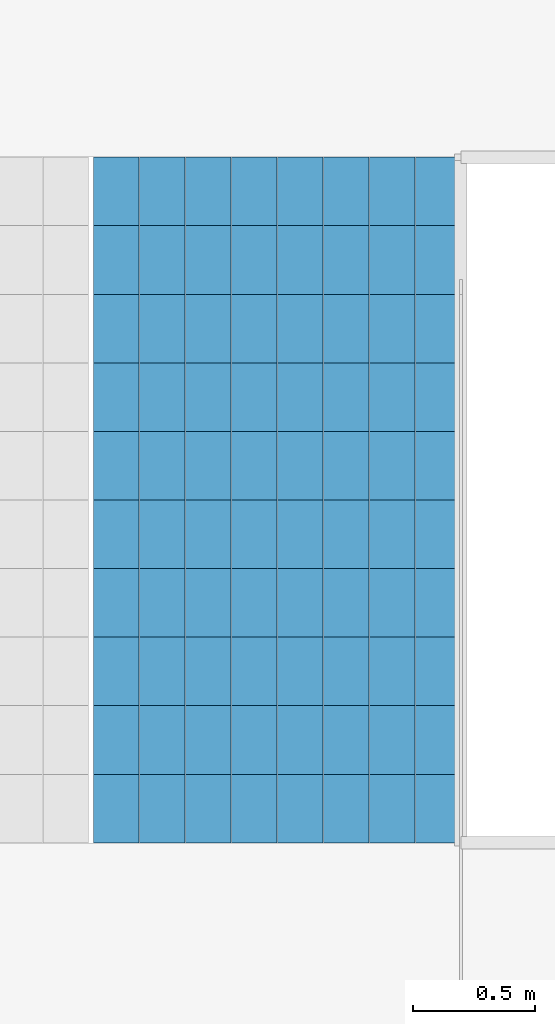
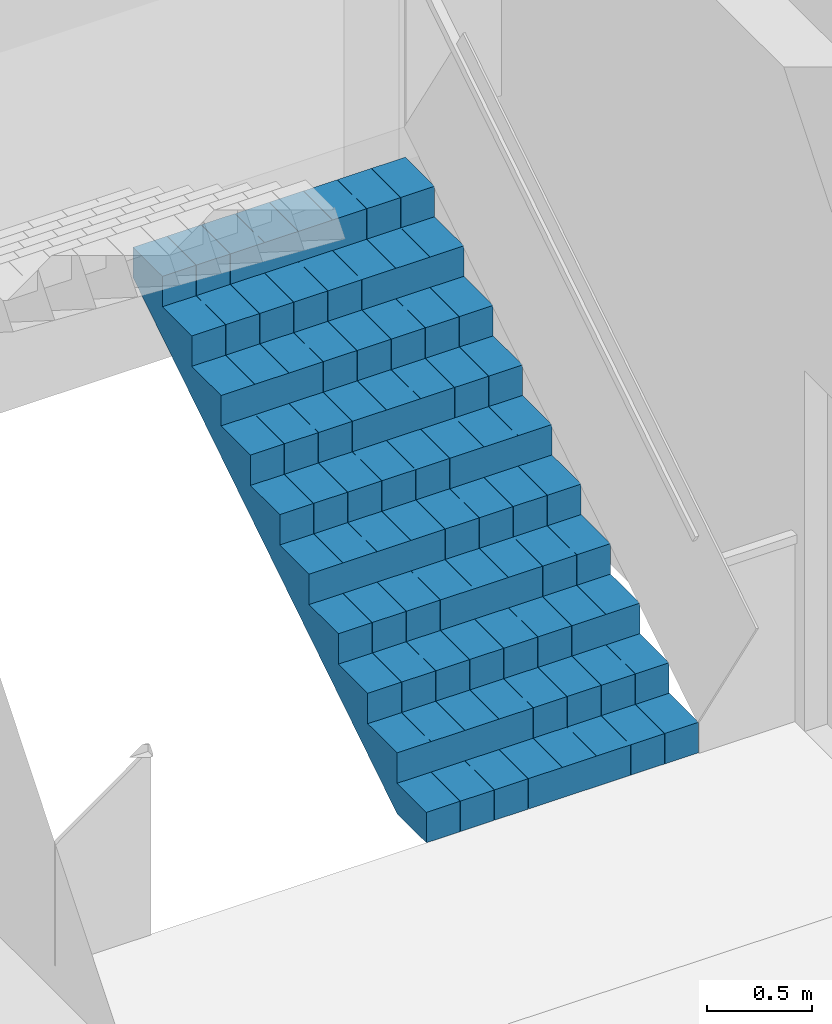
# One storey, part 12 of 14: 1 stair flight, 1 element without a shape of its own.
"""IFC4 building model written with IfcOpenShell, lengths in metres."""

from ifc_helpers import new_model, si_unit, direction, frame, origin, place, context, subcontext, project, spatial, polyline, outline, extrude, material, type_object, element, aggregate, save


model = new_model("IFC4")

# Units and contexts
model_context = context("Model", 3, precision=1e-05, world=origin(), true_north=direction((0.0, 1.0)))
body_context = subcontext(model_context, "Body", "Model", "MODEL_VIEW")
ifc_project = project(units=[si_unit("LENGTHUNIT", "METRE"), si_unit("AREAUNIT", "SQUARE_METRE"), si_unit("VOLUMEUNIT", "CUBIC_METRE"), si_unit("PLANEANGLEUNIT", "RADIAN"), si_unit("MASSUNIT", "GRAM", prefix="KILO")], contexts=[model_context])

# Site, building, storey
site_placement = place(None, origin())
site = spatial("IfcSite", under=ifc_project, at=site_placement, CompositionType="ELEMENT")
building_placement = place(site_placement, origin())
building = spatial("IfcBuilding", under=site, at=building_placement, Name="Kolab Exchange Tower", CompositionType="ELEMENT")
storey_placement = place(building_placement, frame((0.0, 0.0, 222.800048828125)))
storey = spatial("IfcBuildingStorey", under=building, at=storey_placement, Name="L48", CompositionType="ELEMENT", Elevation=222.800048828125)

# Stair, stair flight
ifc_material = material(Name="Concrete C50/60", Category="concrete")
stair_type = type_object("IfcStairType", Name="STAIR ST1 RISER 177.3", PredefinedType="HALF_TURN_STAIR", material=ifc_material)
stair_placement = place(storey_placement, origin())
stair = element("IfcStair", 1, at=stair_placement, inside=storey, type_object=stair_type, Name="Stair 1", PredefinedType="HALF_TURN_STAIR")
stair_flight_type = type_object("IfcStairFlightType", Name="STAIR FLIGHT 1500 RISER 177.3", PredefinedType="STRAIGHT", material=ifc_material)
stair_flight_placement = place(storey_placement, frame((-6.527587890625, 5.550048828125, 0.0), z_axis=(0.0, 0.0, 1.0), x_axis=(0.0, 1.0, 0.0)))
stair_flight = element("IfcStairFlight", 2, at=stair_flight_placement, type_object=stair_flight_type, Name="ST1 flight 1", NumberOfRisers=11, NumberOfTreads=10, PredefinedType="STRAIGHT", RiserHeight=0.177272727, TreadLength=0.28, context=body_context, shape_type="SweptSolid", body=[
    extrude(outline(polyline([(0.0, 0.0), (0.0, 0.17724609375), (0.280029296875, 0.17724609375), (0.280029296875, 0.3544921875), (0.56005859375, 0.3544921875), (0.56005859375, 0.53173828125), (0.840087890625, 0.53173828125), (0.840087890625, 0.708984375), (1.1201171875, 0.708984375), (1.1201171875, 0.886474609375), (1.39990234375, 0.886474609375), (1.39990234375, 1.063720703125), (1.679931640625, 1.063720703125), (1.679931640625, 1.240966796875), (1.9599609375, 1.240966796875), (1.9599609375, 1.418212890625), (2.239990234375, 1.418212890625), (2.239990234375, 1.595458984375), (2.52001953125, 1.595458984375), (2.52001953125, 1.772705078125), (2.800048828125, 1.772705078125), (2.800048828125, 1.949951171875), (2.800048828125, 1.59521484375), (0.2802734375, 0.0), (0.0, 0.0)])), frame((0.0, 0.75, 0.0), z_axis=(0.0, -1.0, 0.0), x_axis=(1.0, 0.0, 0.0)), (0.0, 0.0, 1.0), 0.185791015625),
    extrude(outline(polyline([(0.0, 0.0), (0.0, 0.17724609375), (0.280029296875, 0.17724609375), (0.280029296875, 0.3544921875), (0.56005859375, 0.3544921875), (0.56005859375, 0.53173828125), (0.840087890625, 0.53173828125), (0.840087890625, 0.708984375), (1.1201171875, 0.708984375), (1.1201171875, 0.886474609375), (1.39990234375, 0.886474609375), (1.39990234375, 1.063720703125), (1.679931640625, 1.063720703125), (1.679931640625, 1.240966796875), (1.9599609375, 1.240966796875), (1.9599609375, 1.418212890625), (2.239990234375, 1.418212890625), (2.239990234375, 1.595458984375), (2.52001953125, 1.595458984375), (2.52001953125, 1.772705078125), (2.800048828125, 1.772705078125), (2.800048828125, 1.949951171875), (2.800048828125, 1.59521484375), (0.2802734375, 0.0), (0.0, 0.0)])), frame((0.0, 0.562255859375, 0.0), z_axis=(0.0, -1.0, 0.0), x_axis=(1.0, 0.0, 0.0)), (0.0, 0.0, 1.0), 0.185791015625),
    extrude(outline(polyline([(0.0, 0.0), (0.0, 0.17724609375), (0.280029296875, 0.17724609375), (0.280029296875, 0.3544921875), (0.56005859375, 0.3544921875), (0.56005859375, 0.53173828125), (0.840087890625, 0.53173828125), (0.840087890625, 0.708984375), (1.1201171875, 0.708984375), (1.1201171875, 0.886474609375), (1.39990234375, 0.886474609375), (1.39990234375, 1.063720703125), (1.679931640625, 1.063720703125), (1.679931640625, 1.240966796875), (1.9599609375, 1.240966796875), (1.9599609375, 1.418212890625), (2.239990234375, 1.418212890625), (2.239990234375, 1.595458984375), (2.52001953125, 1.595458984375), (2.52001953125, 1.772705078125), (2.800048828125, 1.772705078125), (2.800048828125, 1.949951171875), (2.800048828125, 1.59521484375), (0.2802734375, 0.0), (0.0, 0.0)])), frame((0.0, 0.37451171875, 0.0), z_axis=(0.0, -1.0, 0.0), x_axis=(1.0, 0.0, 0.0)), (0.0, 0.0, 1.0), 0.185791015625),
    extrude(outline(polyline([(0.0, 0.0), (0.0, 0.17724609375), (0.280029296875, 0.17724609375), (0.280029296875, 0.3544921875), (0.56005859375, 0.3544921875), (0.56005859375, 0.53173828125), (0.840087890625, 0.53173828125), (0.840087890625, 0.708984375), (1.1201171875, 0.708984375), (1.1201171875, 0.886474609375), (1.39990234375, 0.886474609375), (1.39990234375, 1.063720703125), (1.679931640625, 1.063720703125), (1.679931640625, 1.240966796875), (1.9599609375, 1.240966796875), (1.9599609375, 1.418212890625), (2.239990234375, 1.418212890625), (2.239990234375, 1.595458984375), (2.52001953125, 1.595458984375), (2.52001953125, 1.772705078125), (2.800048828125, 1.772705078125), (2.800048828125, 1.949951171875), (2.800048828125, 1.59521484375), (0.2802734375, 0.0), (0.0, 0.0)])), frame((0.0, 0.186767578125, 0.0), z_axis=(0.0, -1.0, 0.0), x_axis=(1.0, 0.0, 0.0)), (0.0, 0.0, 1.0), 0.185791015625),
    extrude(outline(polyline([(0.0, 0.0), (0.0, 0.17724609375), (0.280029296875, 0.17724609375), (0.280029296875, 0.3544921875), (0.56005859375, 0.3544921875), (0.56005859375, 0.53173828125), (0.840087890625, 0.53173828125), (0.840087890625, 0.708984375), (1.1201171875, 0.708984375), (1.1201171875, 0.886474609375), (1.39990234375, 0.886474609375), (1.39990234375, 1.063720703125), (1.679931640625, 1.063720703125), (1.679931640625, 1.240966796875), (1.9599609375, 1.240966796875), (1.9599609375, 1.418212890625), (2.239990234375, 1.418212890625), (2.239990234375, 1.595458984375), (2.52001953125, 1.595458984375), (2.52001953125, 1.772705078125), (2.800048828125, 1.772705078125), (2.800048828125, 1.949951171875), (2.800048828125, 1.59521484375), (0.2802734375, 0.0), (0.0, 0.0)])), frame((0.0, -0.0009765625, 0.0), z_axis=(0.0, -1.0, 0.0), x_axis=(1.0, 0.0, 0.0)), (0.0, 0.0, 1.0), 0.185791015625),
    extrude(outline(polyline([(0.0, 0.0), (0.0, 0.17724609375), (0.280029296875, 0.17724609375), (0.280029296875, 0.3544921875), (0.56005859375, 0.3544921875), (0.56005859375, 0.53173828125), (0.840087890625, 0.53173828125), (0.840087890625, 0.708984375), (1.1201171875, 0.708984375), (1.1201171875, 0.886474609375), (1.39990234375, 0.886474609375), (1.39990234375, 1.063720703125), (1.679931640625, 1.063720703125), (1.679931640625, 1.240966796875), (1.9599609375, 1.240966796875), (1.9599609375, 1.418212890625), (2.239990234375, 1.418212890625), (2.239990234375, 1.595458984375), (2.52001953125, 1.595458984375), (2.52001953125, 1.772705078125), (2.800048828125, 1.772705078125), (2.800048828125, 1.949951171875), (2.800048828125, 1.59521484375), (0.2802734375, 0.0), (0.0, 0.0)])), frame((0.0, -0.188720703125, 0.0), z_axis=(0.0, -1.0, 0.0), x_axis=(1.0, 0.0, 0.0)), (0.0, 0.0, 1.0), 0.185791015625),
    extrude(outline(polyline([(0.0, 0.0), (0.0, 0.17724609375), (0.280029296875, 0.17724609375), (0.280029296875, 0.3544921875), (0.56005859375, 0.3544921875), (0.56005859375, 0.53173828125), (0.840087890625, 0.53173828125), (0.840087890625, 0.708984375), (1.1201171875, 0.708984375), (1.1201171875, 0.886474609375), (1.39990234375, 0.886474609375), (1.39990234375, 1.063720703125), (1.679931640625, 1.063720703125), (1.679931640625, 1.240966796875), (1.9599609375, 1.240966796875), (1.9599609375, 1.418212890625), (2.239990234375, 1.418212890625), (2.239990234375, 1.595458984375), (2.52001953125, 1.595458984375), (2.52001953125, 1.772705078125), (2.800048828125, 1.772705078125), (2.800048828125, 1.949951171875), (2.800048828125, 1.59521484375), (0.2802734375, 0.0), (0.0, 0.0)])), frame((0.0, -0.37646484375, 0.0), z_axis=(0.0, -1.0, 0.0), x_axis=(1.0, 0.0, 0.0)), (0.0, 0.0, 1.0), 0.185791015625),
    extrude(outline(polyline([(0.0, 0.0), (0.0, 0.17724609375), (0.280029296875, 0.17724609375), (0.280029296875, 0.3544921875), (0.56005859375, 0.3544921875), (0.56005859375, 0.53173828125), (0.840087890625, 0.53173828125), (0.840087890625, 0.708984375), (1.1201171875, 0.708984375), (1.1201171875, 0.886474609375), (1.39990234375, 0.886474609375), (1.39990234375, 1.063720703125), (1.679931640625, 1.063720703125), (1.679931640625, 1.240966796875), (1.9599609375, 1.240966796875), (1.9599609375, 1.418212890625), (2.239990234375, 1.418212890625), (2.239990234375, 1.595458984375), (2.52001953125, 1.595458984375), (2.52001953125, 1.772705078125), (2.800048828125, 1.772705078125), (2.800048828125, 1.949951171875), (2.800048828125, 1.59521484375), (0.2802734375, 0.0), (0.0, 0.0)])), frame((0.0, -0.564208984375, 0.0), z_axis=(0.0, -1.0, 0.0), x_axis=(1.0, 0.0, 0.0)), (0.0, 0.0, 1.0), 0.185791015625),
])
aggregate(stair, [stair_flight])

save(model, "model.ifc")
